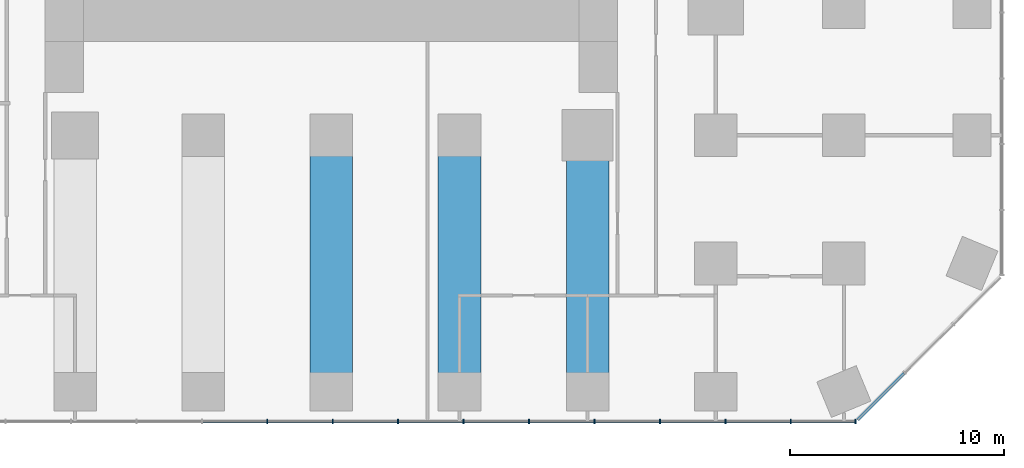
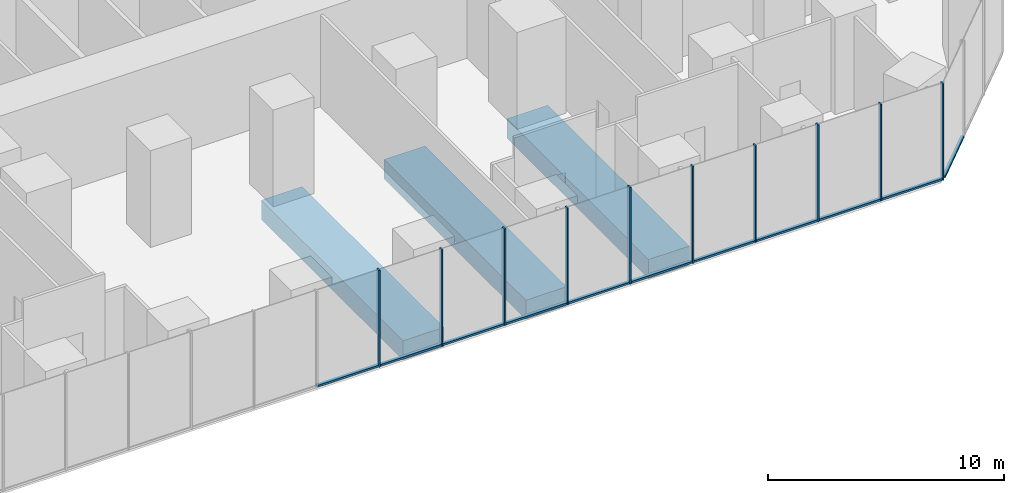
# One storey, part 4 of 15: 21 members, 3 beams, 2 elements without a shape of their own.
"""IFC4 building model written with IfcOpenShell, lengths in metres."""

from ifc_helpers import new_model, si_unit, direction, frame, origin, origin_2d, place, context, subcontext, project, spatial, rectangle, extrude, material, layer, layer_set, material_profile, profile_set, type_object, element, aggregate, save


model = new_model("IFC4")

# Units and contexts
model_context = context("Model", 3, precision=1e-05, world=origin(), true_north=direction((0.0, 1.0)))
body_context = subcontext(model_context, "Body", "Model", "MODEL_VIEW")
ifc_project = project(units=[si_unit("LENGTHUNIT", "METRE"), si_unit("AREAUNIT", "SQUARE_METRE"), si_unit("VOLUMEUNIT", "CUBIC_METRE"), si_unit("PLANEANGLEUNIT", "RADIAN"), si_unit("MASSUNIT", "GRAM", prefix="KILO")], contexts=[model_context])

# Site, building, storey
site_placement = place(None, origin())
site = spatial("IfcSite", under=ifc_project, at=site_placement, CompositionType="ELEMENT")
building_placement = place(site_placement, origin())
building = spatial("IfcBuilding", under=site, at=building_placement, Name="Highveld Stack Headquarters", CompositionType="ELEMENT")
storey_placement = place(building_placement, frame((0.0, 0.0, 6.0)))
storey = spatial("IfcBuildingStorey", under=building, at=storey_placement, Name="L01", CompositionType="ELEMENT", Elevation=6.0)

# Beams
ifc_material_1 = material(Name="Concrete C60/75", Category="concrete")
ifc_material_profile_1 = material_profile(ifc_material_1, rectangle(XDim=2.0, YDim=1.0, at=origin_2d()), Name="RC 2000x1000")
ifc_profile_set_1 = profile_set([ifc_material_profile_1], Name="Concrete C60/75")
beam_type = type_object("IfcBeamType", Name="BAND BEAM RC 2000x1000 C60/75", PredefinedType="BEAM", material=ifc_profile_set_1)
for number, where, z_axis, x_axis, name in (
    (1, (6.0, -24.0, -0.75), (0.0, 1.0, 0.0), (-1.0, 0.0, 0.0), "Band beam 7/A-7/C L01"),
    (2, (12.0, -24.0, -0.75), (0.0, 1.0, 0.0), (-1.0, 0.0, 0.0), "Band beam 8/A-8/C L01"),
    (3, (18.0, -24.0, -0.75), (0.0, 1.0, 0.0), (-1.0, 0.0, 0.0), "Band beam 9/A-9/C L01"),
):
    element("IfcBeam", number, at=place(storey_placement, frame(where, z_axis=z_axis, x_axis=x_axis)), inside=storey, type_object=beam_type, Name=name, PredefinedType="BEAM", context=body_context, shape_type="SweptSolid", body=[
        extrude(rectangle(XDim=2.0, YDim=1.0, at=origin_2d()), origin(), (0.0, 0.0, 1.0), 12.0),
    ])

# Curtain wall, members
ifc_material_2 = material(Name="Aluminium bronze anodised", Category="aluminium")
ifc_layer = layer(ifc_material_2, 0.199951171875)
ifc_layer_set = layer_set([ifc_layer], Name="Aluminium bronze anodised")
curtain_wall_type = type_object("IfcCurtainWallType", Name="CW3 PODIUM STICK CURTAIN WALL", PredefinedType="NOTDEFINED", material=ifc_layer_set)
curtain_wall_1_placement = place(storey_placement, origin())
curtain_wall_1 = element("IfcCurtainWall", 4, at=curtain_wall_1_placement, inside=storey, type_object=curtain_wall_type, Name="Curtain wall CW3 L01 S", PredefinedType="NOTDEFINED")
ifc_material_3 = material(Name="Aluminium bronze anodised", Category="aluminium")
ifc_material_profile_2 = material_profile(ifc_material_3, rectangle(XDim=0.199951171875, YDim=0.06494140625, at=origin_2d()), Name="CW3 MULLION 65x200")
ifc_profile_set_2 = profile_set([ifc_material_profile_2], Name="Aluminium bronze anodised")
member_type_1 = type_object("IfcMemberType", Name="CW3 MULLION 65x200", PredefinedType="MULLION", material=ifc_profile_set_2)
member_1_placement = place(storey_placement, frame((3.0, -25.39990234375, 0.0), z_axis=(0.0, 0.0, 1.0), x_axis=(0.0, 1.0, 0.0)))
member_1 = element("IfcMember", 5, at=member_1_placement, type_object=member_type_1, Name="CW3 mullion L01 10", PredefinedType="MULLION", context=body_context, shape_type="SweptSolid", body=[
    extrude(rectangle(XDim=0.199951171875, YDim=0.06494140625, at=origin_2d()), origin(), (0.0, 0.0, 1.0), 5.0),
])
member_2_placement = place(storey_placement, frame((6.064453125, -25.39990234375, 0.0), z_axis=(0.0, 0.0, 1.0), x_axis=(0.0, 1.0, 0.0)))
member_2 = element("IfcMember", 6, at=member_2_placement, type_object=member_type_1, Name="CW3 mullion L01 11", PredefinedType="MULLION", context=body_context, shape_type="SweptSolid", body=[
    extrude(rectangle(XDim=0.199951171875, YDim=0.06494140625, at=origin_2d()), origin(), (0.0, 0.0, 1.0), 5.0),
])
member_3_placement = place(storey_placement, frame((9.12890625, -25.39990234375, 0.0), z_axis=(0.0, 0.0, 1.0), x_axis=(0.0, 1.0, 0.0)))
member_3 = element("IfcMember", 7, at=member_3_placement, type_object=member_type_1, Name="CW3 mullion L01 12", PredefinedType="MULLION", context=body_context, shape_type="SweptSolid", body=[
    extrude(rectangle(XDim=0.199951171875, YDim=0.06494140625, at=origin_2d()), origin(), (0.0, 0.0, 1.0), 5.0),
])
member_4_placement = place(storey_placement, frame((12.193359375, -25.39990234375, 0.0), z_axis=(0.0, 0.0, 1.0), x_axis=(0.0, 1.0, 0.0)))
member_4 = element("IfcMember", 8, at=member_4_placement, type_object=member_type_1, Name="CW3 mullion L01 13", PredefinedType="MULLION", context=body_context, shape_type="SweptSolid", body=[
    extrude(rectangle(XDim=0.199951171875, YDim=0.06494140625, at=origin_2d()), origin(), (0.0, 0.0, 1.0), 5.0),
])
member_5_placement = place(storey_placement, frame((15.2578125, -25.39990234375, 0.0), z_axis=(0.0, 0.0, 1.0), x_axis=(0.0, 1.0, 0.0)))
member_5 = element("IfcMember", 9, at=member_5_placement, type_object=member_type_1, Name="CW3 mullion L01 14", PredefinedType="MULLION", context=body_context, shape_type="SweptSolid", body=[
    extrude(rectangle(XDim=0.199951171875, YDim=0.06494140625, at=origin_2d()), origin(), (0.0, 0.0, 1.0), 5.0),
])
member_6_placement = place(storey_placement, frame((18.322265625, -25.39990234375, 0.0), z_axis=(0.0, 0.0, 1.0), x_axis=(0.0, 1.0, 0.0)))
member_6 = element("IfcMember", 10, at=member_6_placement, type_object=member_type_1, Name="CW3 mullion L01 15", PredefinedType="MULLION", context=body_context, shape_type="SweptSolid", body=[
    extrude(rectangle(XDim=0.199951171875, YDim=0.06494140625, at=origin_2d()), origin(), (0.0, 0.0, 1.0), 5.0),
])
member_7_placement = place(storey_placement, frame((21.38671875, -25.39990234375, 0.0), z_axis=(0.0, 0.0, 1.0), x_axis=(0.0, 1.0, 0.0)))
member_7 = element("IfcMember", 11, at=member_7_placement, type_object=member_type_1, Name="CW3 mullion L01 16", PredefinedType="MULLION", context=body_context, shape_type="SweptSolid", body=[
    extrude(rectangle(XDim=0.199951171875, YDim=0.06494140625, at=origin_2d()), origin(), (0.0, 0.0, 1.0), 5.0),
])
member_8_placement = place(storey_placement, frame((24.450927734375, -25.39990234375, 0.0), z_axis=(0.0, 0.0, 1.0), x_axis=(0.0, 1.0, 0.0)))
member_8 = element("IfcMember", 12, at=member_8_placement, type_object=member_type_1, Name="CW3 mullion L01 17", PredefinedType="MULLION", context=body_context, shape_type="SweptSolid", body=[
    extrude(rectangle(XDim=0.199951171875, YDim=0.06494140625, at=origin_2d()), origin(), (0.0, 0.0, 1.0), 5.0),
])
member_9_placement = place(storey_placement, frame((27.515380859375, -25.39990234375, 0.0), z_axis=(0.0, 0.0, 1.0), x_axis=(0.0, 1.0, 0.0)))
member_9 = element("IfcMember", 13, at=member_9_placement, type_object=member_type_1, Name="CW3 mullion L01 18", PredefinedType="MULLION", context=body_context, shape_type="SweptSolid", body=[
    extrude(rectangle(XDim=0.199951171875, YDim=0.06494140625, at=origin_2d()), origin(), (0.0, 0.0, 1.0), 5.0),
])
member_10_placement = place(storey_placement, frame((30.54736328125, -25.39990234375, 0.0), z_axis=(0.0, 0.0, 1.0), x_axis=(0.0, 1.0, 0.0)))
member_10 = element("IfcMember", 14, at=member_10_placement, type_object=member_type_1, Name="CW3 mullion L01 19", PredefinedType="MULLION", context=body_context, shape_type="SweptSolid", body=[
    extrude(rectangle(XDim=0.199951171875, YDim=0.06494140625, at=origin_2d()), origin(), (0.0, 0.0, 1.0), 5.0),
])
ifc_material_4 = material(Name="Aluminium bronze anodised", Category="aluminium")
ifc_material_profile_3 = material_profile(ifc_material_4, rectangle(XDim=0.14990234375, YDim=0.10009765625, at=origin_2d()), Name="CW3 TRANSOM 150x100")
ifc_profile_set_3 = profile_set([ifc_material_profile_3], Name="Aluminium bronze anodised")
member_type_2 = type_object("IfcMemberType", Name="CW3 STACK TRANSOM 150x100", PredefinedType="USERDEFINED", material=ifc_profile_set_3)
member_11_placement = place(storey_placement, frame((-0.031982421875, -25.39990234375, 0.050048828125), z_axis=(1.0, 0.0, 0.0), x_axis=(0.0, 1.0, 0.0)))
member_11 = element("IfcMember", 15, at=member_11_placement, type_object=member_type_2, Name="CW3 transom L01 9.1", ObjectType="TRANSOM", PredefinedType="USERDEFINED", context=body_context, shape_type="SweptSolid", body=[
    extrude(rectangle(XDim=0.14990234375, YDim=0.10009765625, at=origin_2d()), origin(), (0.0, 0.0, 1.0), 2.99951171875),
])
member_12_placement = place(storey_placement, frame((3.032470703125, -25.39990234375, 0.050048828125), z_axis=(1.0, 0.0, 0.0), x_axis=(0.0, 1.0, 0.0)))
member_12 = element("IfcMember", 16, at=member_12_placement, type_object=member_type_2, Name="CW3 transom L01 10.1", ObjectType="TRANSOM", PredefinedType="USERDEFINED", context=body_context, shape_type="SweptSolid", body=[
    extrude(rectangle(XDim=0.14990234375, YDim=0.10009765625, at=origin_2d()), origin(), (0.0, 0.0, 1.0), 2.99951171875),
])
member_13_placement = place(storey_placement, frame((6.096923828125, -25.39990234375, 0.050048828125), z_axis=(1.0, 0.0, 0.0), x_axis=(0.0, 1.0, 0.0)))
member_13 = element("IfcMember", 17, at=member_13_placement, type_object=member_type_2, Name="CW3 transom L01 11.1", ObjectType="TRANSOM", PredefinedType="USERDEFINED", context=body_context, shape_type="SweptSolid", body=[
    extrude(rectangle(XDim=0.14990234375, YDim=0.10009765625, at=origin_2d()), origin(), (0.0, 0.0, 1.0), 2.99951171875),
])
member_14_placement = place(storey_placement, frame((9.161376953125, -25.39990234375, 0.050048828125), z_axis=(1.0, 0.0, 0.0), x_axis=(0.0, 1.0, 0.0)))
member_14 = element("IfcMember", 18, at=member_14_placement, type_object=member_type_2, Name="CW3 transom L01 12.1", ObjectType="TRANSOM", PredefinedType="USERDEFINED", context=body_context, shape_type="SweptSolid", body=[
    extrude(rectangle(XDim=0.14990234375, YDim=0.10009765625, at=origin_2d()), origin(), (0.0, 0.0, 1.0), 2.99951171875),
])
member_15_placement = place(storey_placement, frame((12.225830078125, -25.39990234375, 0.050048828125), z_axis=(1.0, 0.0, 0.0), x_axis=(0.0, 1.0, 0.0)))
member_15 = element("IfcMember", 19, at=member_15_placement, type_object=member_type_2, Name="CW3 transom L01 13.1", ObjectType="TRANSOM", PredefinedType="USERDEFINED", context=body_context, shape_type="SweptSolid", body=[
    extrude(rectangle(XDim=0.14990234375, YDim=0.10009765625, at=origin_2d()), origin(), (0.0, 0.0, 1.0), 2.999267578125),
])
member_16_placement = place(storey_placement, frame((15.290283203125, -25.39990234375, 0.050048828125), z_axis=(1.0, 0.0, 0.0), x_axis=(0.0, 1.0, 0.0)))
member_16 = element("IfcMember", 20, at=member_16_placement, type_object=member_type_2, Name="CW3 transom L01 14.1", ObjectType="TRANSOM", PredefinedType="USERDEFINED", context=body_context, shape_type="SweptSolid", body=[
    extrude(rectangle(XDim=0.14990234375, YDim=0.10009765625, at=origin_2d()), origin(), (0.0, 0.0, 1.0), 2.99951171875),
])
member_17_placement = place(storey_placement, frame((18.354736328125, -25.39990234375, 0.050048828125), z_axis=(1.0, 0.0, 0.0), x_axis=(0.0, 1.0, 0.0)))
member_17 = element("IfcMember", 21, at=member_17_placement, type_object=member_type_2, Name="CW3 transom L01 15.1", ObjectType="TRANSOM", PredefinedType="USERDEFINED", context=body_context, shape_type="SweptSolid", body=[
    extrude(rectangle(XDim=0.14990234375, YDim=0.10009765625, at=origin_2d()), origin(), (0.0, 0.0, 1.0), 2.999267578125),
])
member_18_placement = place(storey_placement, frame((21.419189453125, -25.39990234375, 0.050048828125), z_axis=(1.0, 0.0, 0.0), x_axis=(0.0, 1.0, 0.0)))
member_18 = element("IfcMember", 22, at=member_18_placement, type_object=member_type_2, Name="CW3 transom L01 16.1", ObjectType="TRANSOM", PredefinedType="USERDEFINED", context=body_context, shape_type="SweptSolid", body=[
    extrude(rectangle(XDim=0.14990234375, YDim=0.10009765625, at=origin_2d()), origin(), (0.0, 0.0, 1.0), 2.999267578125),
])
member_19_placement = place(storey_placement, frame((24.4833984375, -25.39990234375, 0.050048828125), z_axis=(1.0, 0.0, 0.0), x_axis=(0.0, 1.0, 0.0)))
member_19 = element("IfcMember", 23, at=member_19_placement, type_object=member_type_2, Name="CW3 transom L01 17.1", ObjectType="TRANSOM", PredefinedType="USERDEFINED", context=body_context, shape_type="SweptSolid", body=[
    extrude(rectangle(XDim=0.14990234375, YDim=0.10009765625, at=origin_2d()), origin(), (0.0, 0.0, 1.0), 2.99951171875),
])
member_20_placement = place(storey_placement, frame((27.548095703125, -25.39990234375, 0.050048828125), z_axis=(1.0, 0.0, 0.0), x_axis=(0.0, 1.0, 0.0)))
member_20 = element("IfcMember", 24, at=member_20_placement, type_object=member_type_2, Name="CW3 transom L01 18.1", ObjectType="TRANSOM", PredefinedType="USERDEFINED", context=body_context, shape_type="SweptSolid", body=[
    extrude(rectangle(XDim=0.14990234375, YDim=0.10009765625, at=origin_2d()), origin(), (0.0, 0.0, 1.0), 2.966796875),
])
aggregate(curtain_wall_1, [member_1, member_2, member_3, member_4, member_5, member_6, member_7, member_8, member_9, member_10, member_11, member_12, member_13, member_14, member_15, member_16, member_17, member_18, member_19, member_20])

# Curtain wall, member
curtain_wall_2_placement = place(storey_placement, origin())
curtain_wall_2 = element("IfcCurtainWall", 25, at=curtain_wall_2_placement, inside=storey, type_object=curtain_wall_type, Name="Curtain wall CW3 L01 SE", PredefinedType="NOTDEFINED")
member_21_placement = place(storey_placement, frame((30.650634765625, -25.329345703125, 0.050048828125), z_axis=(0.707106781187, 0.707106781187, 0.0), x_axis=(-0.707106781187, 0.707106781187, 0.0)))
member_21 = element("IfcMember", 26, at=member_21_placement, type_object=member_type_2, Name="CW3 transom L01 1.1", ObjectType="TRANSOM", PredefinedType="USERDEFINED", context=body_context, shape_type="SweptSolid", body=[
    extrude(rectangle(XDim=0.14990234375, YDim=0.10009765625, at=origin_2d()), origin(), (0.0, 0.0, 1.0), 3.08251953125),
])
aggregate(curtain_wall_2, [member_21])

save(model, "model.ifc")
